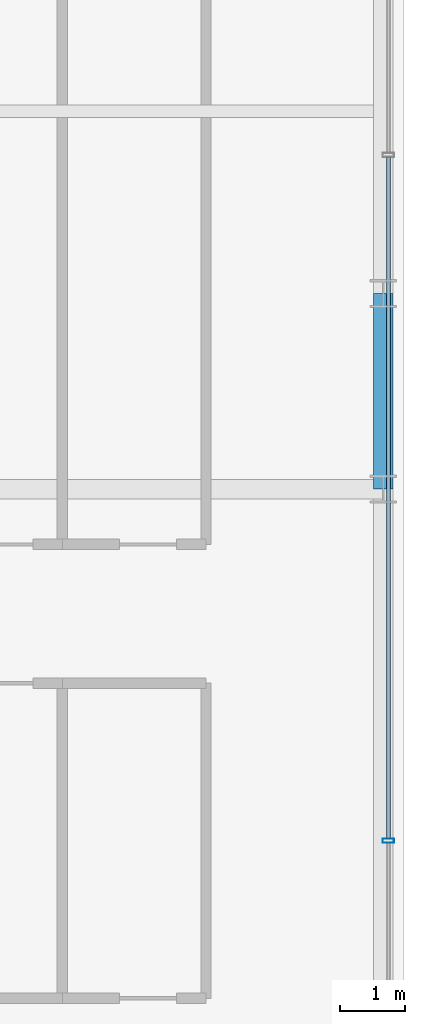
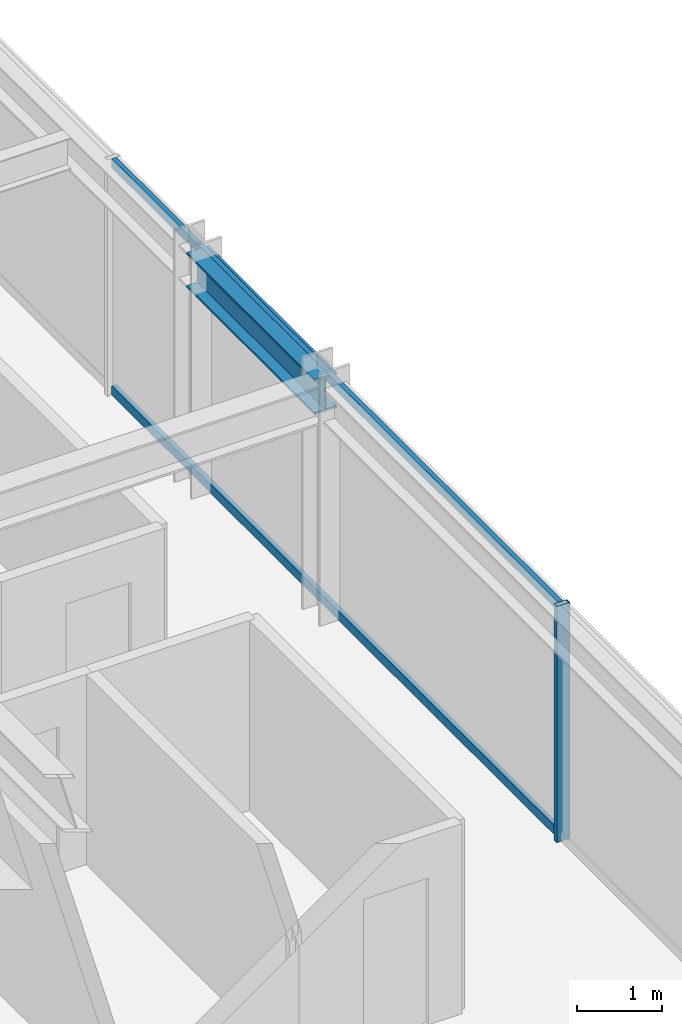
# One storey, part 15 of 35: 3 members, 1 beam, 1 element without a shape of its own.
"""IFC4 building model written with IfcOpenShell, lengths in metres."""

from ifc_helpers import new_model, si_unit, direction, frame, origin, origin_2d, place, context, subcontext, project, spatial, hollow_rectangle, i_section, extrude, source, transform, mapped, material, material_profile, profile_set, type_object, element, aggregate, save


model = new_model("IFC4")

# Units and contexts
model_context = context("Model", 3, precision=1e-05, world=origin(), true_north=direction((0.0, 1.0)))
body_context = subcontext(model_context, "Body", "Model", "MODEL_VIEW")
ifc_project = project(units=[si_unit("LENGTHUNIT", "METRE"), si_unit("AREAUNIT", "SQUARE_METRE"), si_unit("VOLUMEUNIT", "CUBIC_METRE"), si_unit("PLANEANGLEUNIT", "RADIAN"), si_unit("MASSUNIT", "GRAM", prefix="KILO")], contexts=[model_context])

# Site, building, storey
site_placement = place(None, origin())
site = spatial("IfcSite", under=ifc_project, at=site_placement, CompositionType="ELEMENT")
building_placement = place(site_placement, origin())
building = spatial("IfcBuilding", under=site, at=building_placement, Name="Nahalor Promenade Grand Hotel", CompositionType="ELEMENT")
storey_placement = place(building_placement, frame((0.0, 0.0, 121.14990234375)))
storey = spatial("IfcBuildingStorey", under=building, at=storey_placement, Name="L30", CompositionType="ELEMENT", Elevation=121.14990234375)

# Beam
ifc_material_1 = material(Name="Steel S355JR", Category="steel")
ifc_material_profile_1 = material_profile(ifc_material_1, i_section(OverallWidth=0.3, OverallDepth=0.5, WebThickness=0.0145, FlangeThickness=0.028, at=origin_2d()), Name="HEB 500")
ifc_profile_set_1 = profile_set([ifc_material_profile_1], Name="Steel S355JR")
beam_type = type_object("IfcBeamType", Name="Beam-Spandrel-HEB500", PredefinedType="SPANDREL", material=ifc_profile_set_1)
shared_shape_1 = source(origin(), body_context, "Body", "SweptSolid", [
    extrude(i_section(OverallWidth=0.3, OverallDepth=0.5, WebThickness=0.0145, FlangeThickness=0.028, at=origin_2d()), origin(), (0.0, 0.0, 1.0), 3.0),
])
beam_placement = place(storey_placement, frame((23.780029296875, 5.39990234375, 3.130126953125), z_axis=(0.0, 1.0, 0.0), x_axis=(-1.0, 0.0, 0.0)))
element("IfcBeam", 1, at=beam_placement, inside=storey, type_object=beam_type, Name="BM-L30-SP-E-3", PredefinedType="SPANDREL", context=body_context, shape_type="MappedRepresentation", body=[
    mapped(shared_shape_1, transform((0.0, 0.0, 0.0), scale=1.0)),
])

# Curtain wall, members
ifc_material_2 = material(Name="Anodised Bronze Aluminium EN AW-6063 T6", Category="aluminium")
curtain_wall_type = type_object("IfcCurtainWallType", Name="CW2 Typical Hotel Flush Bronze Unitised Curtain Wall", PredefinedType="USERDEFINED", material=ifc_material_2)
curtain_wall_placement = place(storey_placement, origin())
curtain_wall = element("IfcCurtainWall", 2, at=curtain_wall_placement, inside=storey, type_object=curtain_wall_type, Name="L30 Curtain Wall CW-L30-E-1", ObjectType="UNITISED_CURTAIN_WALL", PredefinedType="USERDEFINED")
ifc_material_profile_2 = material_profile(ifc_material_2, hollow_rectangle(XDim=0.065, YDim=0.13, WallThickness=0.004, at=origin_2d()), Name="CWT 65x130x4")
ifc_profile_set_2 = profile_set([ifc_material_profile_2], Name="Anodised Bronze Aluminium EN AW-6063 T6")
member_type_1 = type_object("IfcMemberType", Name="CWT2 Typical Bronze Transom 65x130", PredefinedType="USERDEFINED", material=ifc_profile_set_2)
shared_shape_2 = source(origin(), body_context, "Body", "SweptSolid", [
    extrude(hollow_rectangle(XDim=0.065, YDim=0.13, WallThickness=0.004, at=origin_2d()), origin(), (0.0, 0.0, 1.0), 10.465087890625),
])
member_1_placement = place(storey_placement, frame((23.860107421875, 0.032470703125, 0.065185546875), z_axis=(0.0, 1.0, 0.0), x_axis=(-1.0, 0.0, 0.0)))
member_1 = element("IfcMember", 3, at=member_1_placement, type_object=member_type_1, Name="CW-L30-E-1 Transom 2-0", ObjectType="TRANSOM", PredefinedType="USERDEFINED", context=body_context, shape_type="MappedRepresentation", body=[
    mapped(shared_shape_2, transform((0.0, 0.0, 0.0), scale=1.0)),
])
member_2_placement = place(storey_placement, frame((23.860107421875, 0.032470703125, 3.315185546875), z_axis=(0.0, 1.0, 0.0), x_axis=(-1.0, 0.0, 0.0)))
member_2 = element("IfcMember", 4, at=member_2_placement, type_object=member_type_1, Name="CW-L30-E-1 Transom 2-1", ObjectType="TRANSOM", PredefinedType="USERDEFINED", context=body_context, shape_type="MappedRepresentation", body=[
    mapped(shared_shape_2, transform((0.0, 0.0, 0.0), scale=1.0)),
])
ifc_material_profile_3 = material_profile(ifc_material_2, hollow_rectangle(XDim=0.065, YDim=0.18, WallThickness=0.004, at=origin_2d()), Name="CWM 65x180x4")
ifc_profile_set_3 = profile_set([ifc_material_profile_3], Name="Anodised Bronze Aluminium EN AW-6063 T6")
member_type_2 = type_object("IfcMemberType", Name="CWM2 Typical Bronze Mullion 65x180", PredefinedType="MULLION", material=ifc_profile_set_3)
shared_shape_3 = source(origin(), body_context, "Body", "SweptSolid", [
    extrude(hollow_rectangle(XDim=0.065, YDim=0.18, WallThickness=0.004, at=origin_2d()), origin(), (0.0, 0.0, 1.0), 3.380126953125),
])
member_3_placement = place(storey_placement, frame((23.860107421875, 0.0, 0.0), z_axis=(0.0, 0.0, 1.0), x_axis=(0.0, 1.0, 0.0)))
member_3 = element("IfcMember", 5, at=member_3_placement, type_object=member_type_2, Name="CW-L30-E-1 Mullion 2", PredefinedType="MULLION", context=body_context, shape_type="MappedRepresentation", body=[
    mapped(shared_shape_3, transform((0.0, 0.0, 0.0), scale=1.0)),
])
aggregate(curtain_wall, [member_3, member_1, member_2])

save(model, "model.ifc")
